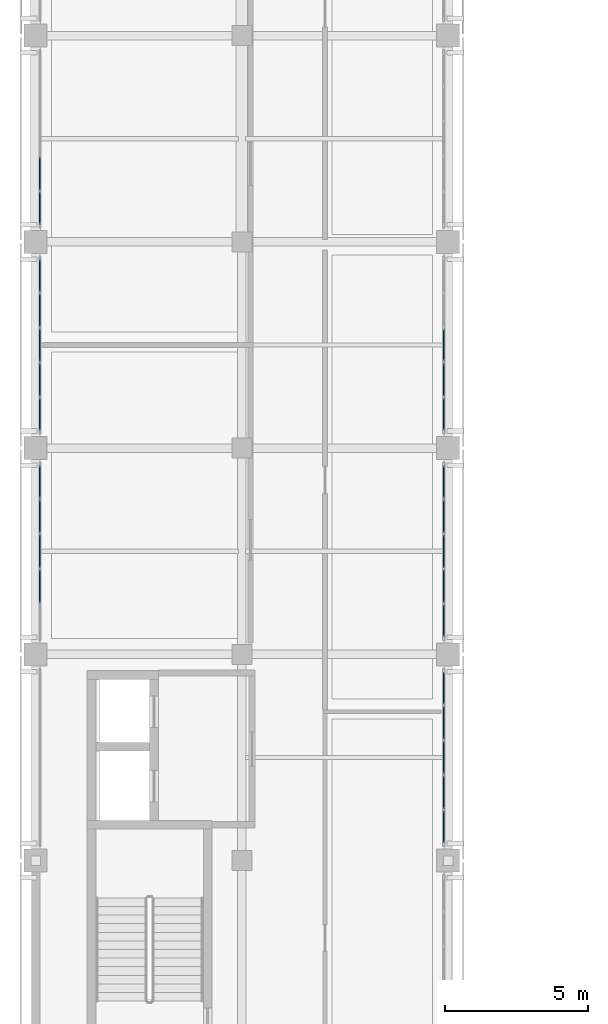
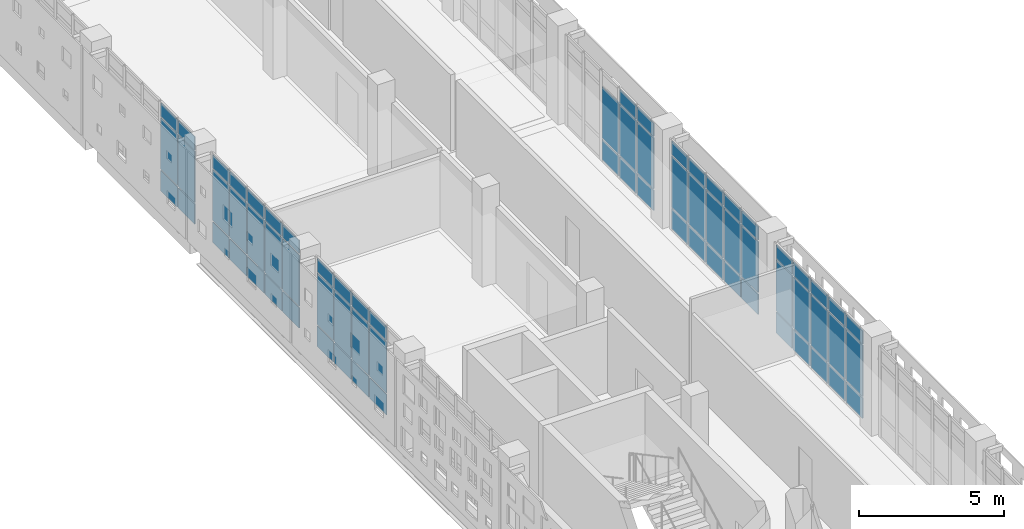
# One storey, part 15 of 33: 71 plates, 6 elements without a shape of their own.
"""IFC4 building model written with IfcOpenShell, lengths in metres."""

from ifc_helpers import new_model, si_unit, direction, frame, origin, origin_2d, place, context, subcontext, project, spatial, rectangle, extrude, material, layer, layer_set, type_object, element, aggregate, save


model = new_model("IFC4")

# Units and contexts
model_context = context("Model", 3, precision=1e-05, world=origin(), true_north=direction((0.0, 1.0)))
body_context = subcontext(model_context, "Body", "Model", "MODEL_VIEW")
ifc_project = project(units=[si_unit("LENGTHUNIT", "METRE"), si_unit("AREAUNIT", "SQUARE_METRE"), si_unit("VOLUMEUNIT", "CUBIC_METRE"), si_unit("PLANEANGLEUNIT", "RADIAN"), si_unit("MASSUNIT", "GRAM", prefix="KILO")], contexts=[model_context])

# Site, building, storey
site_placement = place(None, origin())
site = spatial("IfcSite", under=ifc_project, at=site_placement, CompositionType="ELEMENT")
building_placement = place(site_placement, origin())
building = spatial("IfcBuilding", under=site, at=building_placement, Name="Valkovuoma Quantum and Materials Research Institute", CompositionType="ELEMENT")
storey_placement = place(building_placement, frame((0.0, 0.0, 21.43994140625)))
storey = spatial("IfcBuildingStorey", under=building, at=storey_placement, Name="L05", CompositionType="ELEMENT", Elevation=21.43994140625)

# Curtain wall, plates
ifc_material_1 = material(Name="Thermally broken aluminium and triple low-E glazing", Category="aluminium")
ifc_layer_1 = layer(ifc_material_1, 0.219970703125)
ifc_layer_set_1 = layer_set([ifc_layer_1], Name="Thermally broken aluminium and triple low-E glazing")
curtain_wall_type = type_object("IfcCurtainWallType", Name="CW-CW-01", PredefinedType="NOTDEFINED", material=ifc_layer_set_1)
curtain_wall_1_placement = place(storey_placement, origin())
curtain_wall_1 = element("IfcCurtainWall", 1, at=curtain_wall_1_placement, inside=storey, type_object=curtain_wall_type, Name="L05 curtain wall 060", PredefinedType="NOTDEFINED")
ifc_material_2 = material(Name="Triple low-E argon insulating glass", Category="glass")
ifc_layer_2 = layer(ifc_material_2, 0.035888671875)
ifc_layer_set_2 = layer_set([ifc_layer_2], Name="Triple low-E argon insulating glass")
plate_type_1 = type_object("IfcPlateType", Name="CWPanel-CWP-01", PredefinedType="CURTAIN_PANEL", material=ifc_layer_set_2)
plate_1_placement = place(storey_placement, frame((0.14990234375, 45.582763671875, 0.06494140625), z_axis=(0.0, 0.0, 1.0), x_axis=(0.0, 1.0, 0.0)))
plate_1 = element("IfcPlate", 2, at=plate_1_placement, type_object=plate_type_1, Name="CW-01 panel 2.1", PredefinedType="CURTAIN_PANEL", context=body_context, shape_type="SweptSolid", body=[
    extrude(rectangle(XDim=1.152099609375, YDim=0.035888671875, at=origin_2d()), origin(), (0.0, 0.0, 1.0), 0.8525390625),
])
plate_2_placement = place(storey_placement, frame((0.14990234375, 45.582763671875, 0.982666015625), z_axis=(0.0, 0.0, 1.0), x_axis=(0.0, 1.0, 0.0)))
plate_2 = element("IfcPlate", 3, at=plate_2_placement, type_object=plate_type_1, Name="CW-01 panel 2.2", PredefinedType="CURTAIN_PANEL", context=body_context, shape_type="SweptSolid", body=[
    extrude(rectangle(XDim=1.152099609375, YDim=0.035888671875, at=origin_2d()), origin(), (0.0, 0.0, 1.0), 2.14501953125),
])
plate_3_placement = place(storey_placement, frame((0.14990234375, 45.582763671875, 3.1923828125), z_axis=(0.0, 0.0, 1.0), x_axis=(0.0, 1.0, 0.0)))
plate_3 = element("IfcPlate", 4, at=plate_3_placement, type_object=plate_type_1, Name="CW-01 panel 2.3", PredefinedType="CURTAIN_PANEL", context=body_context, shape_type="SweptSolid", body=[
    extrude(rectangle(XDim=1.152099609375, YDim=0.035888671875, at=origin_2d()), origin(), (0.0, 0.0, 1.0), 0.552490234375),
])
plate_4_placement = place(storey_placement, frame((0.14990234375, 46.800048828125, 0.06494140625), z_axis=(0.0, 0.0, 1.0), x_axis=(0.0, 1.0, 0.0)))
plate_4 = element("IfcPlate", 5, at=plate_4_placement, type_object=plate_type_1, Name="CW-01 panel 3.1", PredefinedType="CURTAIN_PANEL", context=body_context, shape_type="SweptSolid", body=[
    extrude(rectangle(XDim=1.152099609375, YDim=0.035888671875, at=origin_2d()), origin(), (0.0, 0.0, 1.0), 0.8525390625),
])
plate_5_placement = place(storey_placement, frame((0.14990234375, 46.800048828125, 0.982666015625), z_axis=(0.0, 0.0, 1.0), x_axis=(0.0, 1.0, 0.0)))
plate_5 = element("IfcPlate", 6, at=plate_5_placement, type_object=plate_type_1, Name="CW-01 panel 3.2", PredefinedType="CURTAIN_PANEL", context=body_context, shape_type="SweptSolid", body=[
    extrude(rectangle(XDim=1.152099609375, YDim=0.035888671875, at=origin_2d()), origin(), (0.0, 0.0, 1.0), 2.14501953125),
])
plate_6_placement = place(storey_placement, frame((0.14990234375, 46.800048828125, 3.1923828125), z_axis=(0.0, 0.0, 1.0), x_axis=(0.0, 1.0, 0.0)))
plate_6 = element("IfcPlate", 7, at=plate_6_placement, type_object=plate_type_1, Name="CW-01 panel 3.3", PredefinedType="CURTAIN_PANEL", context=body_context, shape_type="SweptSolid", body=[
    extrude(rectangle(XDim=1.152099609375, YDim=0.035888671875, at=origin_2d()), origin(), (0.0, 0.0, 1.0), 0.552490234375),
])
plate_7_placement = place(storey_placement, frame((0.14990234375, 48.01708984375, 0.06494140625), z_axis=(0.0, 0.0, 1.0), x_axis=(0.0, 1.0, 0.0)))
plate_7 = element("IfcPlate", 8, at=plate_7_placement, type_object=plate_type_1, Name="CW-01 panel 4.1", PredefinedType="CURTAIN_PANEL", context=body_context, shape_type="SweptSolid", body=[
    extrude(rectangle(XDim=1.152099609375, YDim=0.035888671875, at=origin_2d()), origin(), (0.0, 0.0, 1.0), 0.8525390625),
])
plate_8_placement = place(storey_placement, frame((0.14990234375, 48.01708984375, 0.982666015625), z_axis=(0.0, 0.0, 1.0), x_axis=(0.0, 1.0, 0.0)))
plate_8 = element("IfcPlate", 9, at=plate_8_placement, type_object=plate_type_1, Name="CW-01 panel 4.2", PredefinedType="CURTAIN_PANEL", context=body_context, shape_type="SweptSolid", body=[
    extrude(rectangle(XDim=1.152099609375, YDim=0.035888671875, at=origin_2d()), origin(), (0.0, 0.0, 1.0), 2.14501953125),
])
plate_9_placement = place(storey_placement, frame((0.14990234375, 48.01708984375, 3.1923828125), z_axis=(0.0, 0.0, 1.0), x_axis=(0.0, 1.0, 0.0)))
plate_9 = element("IfcPlate", 10, at=plate_9_placement, type_object=plate_type_1, Name="CW-01 panel 4.3", PredefinedType="CURTAIN_PANEL", context=body_context, shape_type="SweptSolid", body=[
    extrude(rectangle(XDim=1.152099609375, YDim=0.035888671875, at=origin_2d()), origin(), (0.0, 0.0, 1.0), 0.552490234375),
])
plate_10_placement = place(storey_placement, frame((0.14990234375, 49.218017578125, 0.06494140625), z_axis=(0.0, 0.0, 1.0), x_axis=(0.0, 1.0, 0.0)))
plate_10 = element("IfcPlate", 11, at=plate_10_placement, type_object=plate_type_1, Name="CW-01 panel 5.1", PredefinedType="CURTAIN_PANEL", context=body_context, shape_type="SweptSolid", body=[
    extrude(rectangle(XDim=1.11962890625, YDim=0.035888671875, at=origin_2d()), origin(), (0.0, 0.0, 1.0), 0.8525390625),
])
plate_11_placement = place(storey_placement, frame((0.14990234375, 49.218017578125, 0.982666015625), z_axis=(0.0, 0.0, 1.0), x_axis=(0.0, 1.0, 0.0)))
plate_11 = element("IfcPlate", 12, at=plate_11_placement, type_object=plate_type_1, Name="CW-01 panel 5.2", PredefinedType="CURTAIN_PANEL", context=body_context, shape_type="SweptSolid", body=[
    extrude(rectangle(XDim=1.11962890625, YDim=0.035888671875, at=origin_2d()), origin(), (0.0, 0.0, 1.0), 2.14501953125),
])
plate_12_placement = place(storey_placement, frame((0.14990234375, 49.218017578125, 3.1923828125), z_axis=(0.0, 0.0, 1.0), x_axis=(0.0, 1.0, 0.0)))
plate_12 = element("IfcPlate", 13, at=plate_12_placement, type_object=plate_type_1, Name="CW-01 panel 5.3", PredefinedType="CURTAIN_PANEL", context=body_context, shape_type="SweptSolid", body=[
    extrude(rectangle(XDim=1.11962890625, YDim=0.035888671875, at=origin_2d()), origin(), (0.0, 0.0, 1.0), 0.552490234375),
])
aggregate(curtain_wall_1, [plate_1, plate_2, plate_3, plate_4, plate_5, plate_6, plate_7, plate_8, plate_9, plate_10, plate_11, plate_12])

curtain_wall_2_placement = place(storey_placement, origin())
curtain_wall_2 = element("IfcCurtainWall", 14, at=curtain_wall_2_placement, inside=storey, type_object=curtain_wall_type, Name="L05 curtain wall 062", PredefinedType="NOTDEFINED")
plate_13_placement = place(storey_placement, frame((0.14990234375, 51.58203125, 0.06494140625), z_axis=(0.0, 0.0, 1.0), x_axis=(0.0, 1.0, 0.0)))
plate_13 = element("IfcPlate", 15, at=plate_13_placement, type_object=plate_type_1, Name="CW-01 panel 1.1", PredefinedType="CURTAIN_PANEL", context=body_context, shape_type="SweptSolid", body=[
    extrude(rectangle(XDim=1.11962890625, YDim=0.035888671875, at=origin_2d()), origin(), (0.0, 0.0, 1.0), 0.8525390625),
])
plate_14_placement = place(storey_placement, frame((0.14990234375, 51.58203125, 0.982666015625), z_axis=(0.0, 0.0, 1.0), x_axis=(0.0, 1.0, 0.0)))
plate_14 = element("IfcPlate", 16, at=plate_14_placement, type_object=plate_type_1, Name="CW-01 panel 1.2", PredefinedType="CURTAIN_PANEL", context=body_context, shape_type="SweptSolid", body=[
    extrude(rectangle(XDim=1.11962890625, YDim=0.035888671875, at=origin_2d()), origin(), (0.0, 0.0, 1.0), 2.14501953125),
])
plate_15_placement = place(storey_placement, frame((0.14990234375, 51.58203125, 3.1923828125), z_axis=(0.0, 0.0, 1.0), x_axis=(0.0, 1.0, 0.0)))
plate_15 = element("IfcPlate", 17, at=plate_15_placement, type_object=plate_type_1, Name="CW-01 panel 1.3", PredefinedType="CURTAIN_PANEL", context=body_context, shape_type="SweptSolid", body=[
    extrude(rectangle(XDim=1.11962890625, YDim=0.035888671875, at=origin_2d()), origin(), (0.0, 0.0, 1.0), 0.552490234375),
])
plate_16_placement = place(storey_placement, frame((0.14990234375, 52.782958984375, 0.06494140625), z_axis=(0.0, 0.0, 1.0), x_axis=(0.0, 1.0, 0.0)))
plate_16 = element("IfcPlate", 18, at=plate_16_placement, type_object=plate_type_1, Name="CW-01 panel 2.1", PredefinedType="CURTAIN_PANEL", context=body_context, shape_type="SweptSolid", body=[
    extrude(rectangle(XDim=1.152099609375, YDim=0.035888671875, at=origin_2d()), origin(), (0.0, 0.0, 1.0), 0.8525390625),
])
plate_17_placement = place(storey_placement, frame((0.14990234375, 52.782958984375, 0.982666015625), z_axis=(0.0, 0.0, 1.0), x_axis=(0.0, 1.0, 0.0)))
plate_17 = element("IfcPlate", 19, at=plate_17_placement, type_object=plate_type_1, Name="CW-01 panel 2.2", PredefinedType="CURTAIN_PANEL", context=body_context, shape_type="SweptSolid", body=[
    extrude(rectangle(XDim=1.152099609375, YDim=0.035888671875, at=origin_2d()), origin(), (0.0, 0.0, 1.0), 2.14501953125),
])
plate_18_placement = place(storey_placement, frame((0.14990234375, 52.782958984375, 3.1923828125), z_axis=(0.0, 0.0, 1.0), x_axis=(0.0, 1.0, 0.0)))
plate_18 = element("IfcPlate", 20, at=plate_18_placement, type_object=plate_type_1, Name="CW-01 panel 2.3", PredefinedType="CURTAIN_PANEL", context=body_context, shape_type="SweptSolid", body=[
    extrude(rectangle(XDim=1.152099609375, YDim=0.035888671875, at=origin_2d()), origin(), (0.0, 0.0, 1.0), 0.552490234375),
])
plate_19_placement = place(storey_placement, frame((0.14990234375, 54.0, 0.06494140625), z_axis=(0.0, 0.0, 1.0), x_axis=(0.0, 1.0, 0.0)))
plate_19 = element("IfcPlate", 21, at=plate_19_placement, type_object=plate_type_1, Name="CW-01 panel 3.1", PredefinedType="CURTAIN_PANEL", context=body_context, shape_type="SweptSolid", body=[
    extrude(rectangle(XDim=1.152099609375, YDim=0.035888671875, at=origin_2d()), origin(), (0.0, 0.0, 1.0), 0.8525390625),
])
plate_20_placement = place(storey_placement, frame((0.14990234375, 54.0, 0.982666015625), z_axis=(0.0, 0.0, 1.0), x_axis=(0.0, 1.0, 0.0)))
plate_20 = element("IfcPlate", 22, at=plate_20_placement, type_object=plate_type_1, Name="CW-01 panel 3.2", PredefinedType="CURTAIN_PANEL", context=body_context, shape_type="SweptSolid", body=[
    extrude(rectangle(XDim=1.152099609375, YDim=0.035888671875, at=origin_2d()), origin(), (0.0, 0.0, 1.0), 2.14501953125),
])
plate_21_placement = place(storey_placement, frame((0.14990234375, 54.0, 3.1923828125), z_axis=(0.0, 0.0, 1.0), x_axis=(0.0, 1.0, 0.0)))
plate_21 = element("IfcPlate", 23, at=plate_21_placement, type_object=plate_type_1, Name="CW-01 panel 3.3", PredefinedType="CURTAIN_PANEL", context=body_context, shape_type="SweptSolid", body=[
    extrude(rectangle(XDim=1.152099609375, YDim=0.035888671875, at=origin_2d()), origin(), (0.0, 0.0, 1.0), 0.552490234375),
])
plate_22_placement = place(storey_placement, frame((0.14990234375, 55.217041015625, 0.06494140625), z_axis=(0.0, 0.0, 1.0), x_axis=(0.0, 1.0, 0.0)))
plate_22 = element("IfcPlate", 24, at=plate_22_placement, type_object=plate_type_1, Name="CW-01 panel 4.1", PredefinedType="CURTAIN_PANEL", context=body_context, shape_type="SweptSolid", body=[
    extrude(rectangle(XDim=1.152099609375, YDim=0.035888671875, at=origin_2d()), origin(), (0.0, 0.0, 1.0), 0.8525390625),
])
plate_23_placement = place(storey_placement, frame((0.14990234375, 55.217041015625, 0.982666015625), z_axis=(0.0, 0.0, 1.0), x_axis=(0.0, 1.0, 0.0)))
plate_23 = element("IfcPlate", 25, at=plate_23_placement, type_object=plate_type_1, Name="CW-01 panel 4.2", PredefinedType="CURTAIN_PANEL", context=body_context, shape_type="SweptSolid", body=[
    extrude(rectangle(XDim=1.152099609375, YDim=0.035888671875, at=origin_2d()), origin(), (0.0, 0.0, 1.0), 2.14501953125),
])
plate_24_placement = place(storey_placement, frame((0.14990234375, 55.217041015625, 3.1923828125), z_axis=(0.0, 0.0, 1.0), x_axis=(0.0, 1.0, 0.0)))
plate_24 = element("IfcPlate", 26, at=plate_24_placement, type_object=plate_type_1, Name="CW-01 panel 4.3", PredefinedType="CURTAIN_PANEL", context=body_context, shape_type="SweptSolid", body=[
    extrude(rectangle(XDim=1.152099609375, YDim=0.035888671875, at=origin_2d()), origin(), (0.0, 0.0, 1.0), 0.552490234375),
])
plate_25_placement = place(storey_placement, frame((0.14990234375, 56.41796875, 0.06494140625), z_axis=(0.0, 0.0, 1.0), x_axis=(0.0, 1.0, 0.0)))
plate_25 = element("IfcPlate", 27, at=plate_25_placement, type_object=plate_type_1, Name="CW-01 panel 5.1", PredefinedType="CURTAIN_PANEL", context=body_context, shape_type="SweptSolid", body=[
    extrude(rectangle(XDim=1.11962890625, YDim=0.035888671875, at=origin_2d()), origin(), (0.0, 0.0, 1.0), 0.8525390625),
])
plate_26_placement = place(storey_placement, frame((0.14990234375, 56.41796875, 0.982666015625), z_axis=(0.0, 0.0, 1.0), x_axis=(0.0, 1.0, 0.0)))
plate_26 = element("IfcPlate", 28, at=plate_26_placement, type_object=plate_type_1, Name="CW-01 panel 5.2", PredefinedType="CURTAIN_PANEL", context=body_context, shape_type="SweptSolid", body=[
    extrude(rectangle(XDim=1.11962890625, YDim=0.035888671875, at=origin_2d()), origin(), (0.0, 0.0, 1.0), 2.14501953125),
])
plate_27_placement = place(storey_placement, frame((0.14990234375, 56.41796875, 3.1923828125), z_axis=(0.0, 0.0, 1.0), x_axis=(0.0, 1.0, 0.0)))
plate_27 = element("IfcPlate", 29, at=plate_27_placement, type_object=plate_type_1, Name="CW-01 panel 5.3", PredefinedType="CURTAIN_PANEL", context=body_context, shape_type="SweptSolid", body=[
    extrude(rectangle(XDim=1.11962890625, YDim=0.035888671875, at=origin_2d()), origin(), (0.0, 0.0, 1.0), 0.552490234375),
])
aggregate(curtain_wall_2, [plate_13, plate_14, plate_15, plate_16, plate_17, plate_18, plate_19, plate_20, plate_21, plate_22, plate_23, plate_24, plate_25, plate_26, plate_27])

curtain_wall_3_placement = place(storey_placement, origin())
curtain_wall_3 = element("IfcCurtainWall", 30, at=curtain_wall_3_placement, inside=storey, type_object=curtain_wall_type, Name="L05 curtain wall 064", PredefinedType="NOTDEFINED")
plate_28_placement = place(storey_placement, frame((0.14990234375, 58.781982421875, 0.06494140625), z_axis=(0.0, 0.0, 1.0), x_axis=(0.0, 1.0, 0.0)))
plate_28 = element("IfcPlate", 31, at=plate_28_placement, type_object=plate_type_1, Name="CW-01 panel 1.1", PredefinedType="CURTAIN_PANEL", context=body_context, shape_type="SweptSolid", body=[
    extrude(rectangle(XDim=1.11962890625, YDim=0.035888671875, at=origin_2d()), origin(), (0.0, 0.0, 1.0), 0.8525390625),
])
plate_29_placement = place(storey_placement, frame((0.14990234375, 58.781982421875, 0.982666015625), z_axis=(0.0, 0.0, 1.0), x_axis=(0.0, 1.0, 0.0)))
plate_29 = element("IfcPlate", 32, at=plate_29_placement, type_object=plate_type_1, Name="CW-01 panel 1.2", PredefinedType="CURTAIN_PANEL", context=body_context, shape_type="SweptSolid", body=[
    extrude(rectangle(XDim=1.11962890625, YDim=0.035888671875, at=origin_2d()), origin(), (0.0, 0.0, 1.0), 2.14501953125),
])
plate_30_placement = place(storey_placement, frame((0.14990234375, 58.781982421875, 3.1923828125), z_axis=(0.0, 0.0, 1.0), x_axis=(0.0, 1.0, 0.0)))
plate_30 = element("IfcPlate", 33, at=plate_30_placement, type_object=plate_type_1, Name="CW-01 panel 1.3", PredefinedType="CURTAIN_PANEL", context=body_context, shape_type="SweptSolid", body=[
    extrude(rectangle(XDim=1.11962890625, YDim=0.035888671875, at=origin_2d()), origin(), (0.0, 0.0, 1.0), 0.552490234375),
])
plate_31_placement = place(storey_placement, frame((0.14990234375, 59.98291015625, 0.06494140625), z_axis=(0.0, 0.0, 1.0), x_axis=(0.0, 1.0, 0.0)))
plate_31 = element("IfcPlate", 34, at=plate_31_placement, type_object=plate_type_1, Name="CW-01 panel 2.1", PredefinedType="CURTAIN_PANEL", context=body_context, shape_type="SweptSolid", body=[
    extrude(rectangle(XDim=1.152099609375, YDim=0.035888671875, at=origin_2d()), origin(), (0.0, 0.0, 1.0), 0.8525390625),
])
plate_32_placement = place(storey_placement, frame((0.14990234375, 59.98291015625, 0.982666015625), z_axis=(0.0, 0.0, 1.0), x_axis=(0.0, 1.0, 0.0)))
plate_32 = element("IfcPlate", 35, at=plate_32_placement, type_object=plate_type_1, Name="CW-01 panel 2.2", PredefinedType="CURTAIN_PANEL", context=body_context, shape_type="SweptSolid", body=[
    extrude(rectangle(XDim=1.152099609375, YDim=0.035888671875, at=origin_2d()), origin(), (0.0, 0.0, 1.0), 2.14501953125),
])
plate_33_placement = place(storey_placement, frame((0.14990234375, 59.98291015625, 3.1923828125), z_axis=(0.0, 0.0, 1.0), x_axis=(0.0, 1.0, 0.0)))
plate_33 = element("IfcPlate", 36, at=plate_33_placement, type_object=plate_type_1, Name="CW-01 panel 2.3", PredefinedType="CURTAIN_PANEL", context=body_context, shape_type="SweptSolid", body=[
    extrude(rectangle(XDim=1.152099609375, YDim=0.035888671875, at=origin_2d()), origin(), (0.0, 0.0, 1.0), 0.552490234375),
])
aggregate(curtain_wall_3, [plate_28, plate_29, plate_30, plate_31, plate_32, plate_33])

curtain_wall_4_placement = place(storey_placement, origin())
curtain_wall_4 = element("IfcCurtainWall", 37, at=curtain_wall_4_placement, inside=storey, type_object=curtain_wall_type, Name="L05 curtain wall 059", PredefinedType="NOTDEFINED")
ifc_material_3 = material(Name="Triple low-E argon insulating glass", Category="glass")
ifc_layer_3 = layer(ifc_material_3, 0.0419921875)
ifc_layer_set_3 = layer_set([ifc_layer_3], Name="Triple low-E argon insulating glass")
plate_type_2 = type_object("IfcPlateType", Name="CWPanel-CWP-02", PredefinedType="CURTAIN_PANEL", material=ifc_layer_set_3)
plate_34_placement = place(storey_placement, frame((14.25, 37.181884765625, 0.06494140625), z_axis=(0.0, 0.0, 1.0), x_axis=(0.0, 1.0, 0.0)))
plate_34 = element("IfcPlate", 38, at=plate_34_placement, type_object=plate_type_2, Name="CW-01 panel 1.1", PredefinedType="CURTAIN_PANEL", context=body_context, shape_type="SweptSolid", body=[
    extrude(rectangle(XDim=1.11962890625, YDim=0.0419921875, at=origin_2d()), origin(), (0.0, 0.0, 1.0), 0.8525390625),
])
plate_35_placement = place(storey_placement, frame((14.25, 37.181884765625, 0.982666015625), z_axis=(0.0, 0.0, 1.0), x_axis=(0.0, 1.0, 0.0)))
plate_35 = element("IfcPlate", 39, at=plate_35_placement, type_object=plate_type_2, Name="CW-01 panel 1.2", PredefinedType="CURTAIN_PANEL", context=body_context, shape_type="SweptSolid", body=[
    extrude(rectangle(XDim=1.11962890625, YDim=0.0419921875, at=origin_2d()), origin(), (0.0, 0.0, 1.0), 2.14501953125),
])
plate_36_placement = place(storey_placement, frame((14.25, 37.181884765625, 3.1923828125), z_axis=(0.0, 0.0, 1.0), x_axis=(0.0, 1.0, 0.0)))
plate_36 = element("IfcPlate", 40, at=plate_36_placement, type_object=plate_type_2, Name="CW-01 panel 1.3", PredefinedType="CURTAIN_PANEL", context=body_context, shape_type="SweptSolid", body=[
    extrude(rectangle(XDim=1.11962890625, YDim=0.0419921875, at=origin_2d()), origin(), (0.0, 0.0, 1.0), 0.552490234375),
])
plate_37_placement = place(storey_placement, frame((14.25, 38.3828125, 0.06494140625), z_axis=(0.0, 0.0, 1.0), x_axis=(0.0, 1.0, 0.0)))
plate_37 = element("IfcPlate", 41, at=plate_37_placement, type_object=plate_type_2, Name="CW-01 panel 2.1", PredefinedType="CURTAIN_PANEL", context=body_context, shape_type="SweptSolid", body=[
    extrude(rectangle(XDim=1.152099609375, YDim=0.0419921875, at=origin_2d()), origin(), (0.0, 0.0, 1.0), 0.8525390625),
])
plate_38_placement = place(storey_placement, frame((14.25, 38.3828125, 0.982666015625), z_axis=(0.0, 0.0, 1.0), x_axis=(0.0, 1.0, 0.0)))
plate_38 = element("IfcPlate", 42, at=plate_38_placement, type_object=plate_type_2, Name="CW-01 panel 2.2", PredefinedType="CURTAIN_PANEL", context=body_context, shape_type="SweptSolid", body=[
    extrude(rectangle(XDim=1.152099609375, YDim=0.0419921875, at=origin_2d()), origin(), (0.0, 0.0, 1.0), 2.14501953125),
])
plate_39_placement = place(storey_placement, frame((14.25, 38.3828125, 3.1923828125), z_axis=(0.0, 0.0, 1.0), x_axis=(0.0, 1.0, 0.0)))
plate_39 = element("IfcPlate", 43, at=plate_39_placement, type_object=plate_type_2, Name="CW-01 panel 2.3", PredefinedType="CURTAIN_PANEL", context=body_context, shape_type="SweptSolid", body=[
    extrude(rectangle(XDim=1.152099609375, YDim=0.0419921875, at=origin_2d()), origin(), (0.0, 0.0, 1.0), 0.552490234375),
])
plate_40_placement = place(storey_placement, frame((14.25, 39.60009765625, 0.06494140625), z_axis=(0.0, 0.0, 1.0), x_axis=(0.0, 1.0, 0.0)))
plate_40 = element("IfcPlate", 44, at=plate_40_placement, type_object=plate_type_2, Name="CW-01 panel 3.1", PredefinedType="CURTAIN_PANEL", context=body_context, shape_type="SweptSolid", body=[
    extrude(rectangle(XDim=1.152099609375, YDim=0.0419921875, at=origin_2d()), origin(), (0.0, 0.0, 1.0), 0.8525390625),
])
plate_41_placement = place(storey_placement, frame((14.25, 39.60009765625, 0.982666015625), z_axis=(0.0, 0.0, 1.0), x_axis=(0.0, 1.0, 0.0)))
plate_41 = element("IfcPlate", 45, at=plate_41_placement, type_object=plate_type_2, Name="CW-01 panel 3.2", PredefinedType="CURTAIN_PANEL", context=body_context, shape_type="SweptSolid", body=[
    extrude(rectangle(XDim=1.152099609375, YDim=0.0419921875, at=origin_2d()), origin(), (0.0, 0.0, 1.0), 2.14501953125),
])
plate_42_placement = place(storey_placement, frame((14.25, 39.60009765625, 3.1923828125), z_axis=(0.0, 0.0, 1.0), x_axis=(0.0, 1.0, 0.0)))
plate_42 = element("IfcPlate", 46, at=plate_42_placement, type_object=plate_type_2, Name="CW-01 panel 3.3", PredefinedType="CURTAIN_PANEL", context=body_context, shape_type="SweptSolid", body=[
    extrude(rectangle(XDim=1.152099609375, YDim=0.0419921875, at=origin_2d()), origin(), (0.0, 0.0, 1.0), 0.552490234375),
])
plate_43_placement = place(storey_placement, frame((14.25, 40.817138671875, 0.06494140625), z_axis=(0.0, 0.0, 1.0), x_axis=(0.0, 1.0, 0.0)))
plate_43 = element("IfcPlate", 47, at=plate_43_placement, type_object=plate_type_2, Name="CW-01 panel 4.1", PredefinedType="CURTAIN_PANEL", context=body_context, shape_type="SweptSolid", body=[
    extrude(rectangle(XDim=1.152099609375, YDim=0.0419921875, at=origin_2d()), origin(), (0.0, 0.0, 1.0), 0.8525390625),
])
plate_44_placement = place(storey_placement, frame((14.25, 40.817138671875, 0.982666015625), z_axis=(0.0, 0.0, 1.0), x_axis=(0.0, 1.0, 0.0)))
plate_44 = element("IfcPlate", 48, at=plate_44_placement, type_object=plate_type_2, Name="CW-01 panel 4.2", PredefinedType="CURTAIN_PANEL", context=body_context, shape_type="SweptSolid", body=[
    extrude(rectangle(XDim=1.152099609375, YDim=0.0419921875, at=origin_2d()), origin(), (0.0, 0.0, 1.0), 2.14501953125),
])
plate_45_placement = place(storey_placement, frame((14.25, 40.817138671875, 3.1923828125), z_axis=(0.0, 0.0, 1.0), x_axis=(0.0, 1.0, 0.0)))
plate_45 = element("IfcPlate", 49, at=plate_45_placement, type_object=plate_type_2, Name="CW-01 panel 4.3", PredefinedType="CURTAIN_PANEL", context=body_context, shape_type="SweptSolid", body=[
    extrude(rectangle(XDim=1.152099609375, YDim=0.0419921875, at=origin_2d()), origin(), (0.0, 0.0, 1.0), 0.552490234375),
])
plate_46_placement = place(storey_placement, frame((14.25, 42.01806640625, 0.06494140625), z_axis=(0.0, 0.0, 1.0), x_axis=(0.0, 1.0, 0.0)))
plate_46 = element("IfcPlate", 50, at=plate_46_placement, type_object=plate_type_2, Name="CW-01 panel 5.1", PredefinedType="CURTAIN_PANEL", context=body_context, shape_type="SweptSolid", body=[
    extrude(rectangle(XDim=1.11962890625, YDim=0.0419921875, at=origin_2d()), origin(), (0.0, 0.0, 1.0), 0.8525390625),
])
plate_47_placement = place(storey_placement, frame((14.25, 42.01806640625, 0.982666015625), z_axis=(0.0, 0.0, 1.0), x_axis=(0.0, 1.0, 0.0)))
plate_47 = element("IfcPlate", 51, at=plate_47_placement, type_object=plate_type_2, Name="CW-01 panel 5.2", PredefinedType="CURTAIN_PANEL", context=body_context, shape_type="SweptSolid", body=[
    extrude(rectangle(XDim=1.11962890625, YDim=0.0419921875, at=origin_2d()), origin(), (0.0, 0.0, 1.0), 2.14501953125),
])
plate_48_placement = place(storey_placement, frame((14.25, 42.01806640625, 3.1923828125), z_axis=(0.0, 0.0, 1.0), x_axis=(0.0, 1.0, 0.0)))
plate_48 = element("IfcPlate", 52, at=plate_48_placement, type_object=plate_type_2, Name="CW-01 panel 5.3", PredefinedType="CURTAIN_PANEL", context=body_context, shape_type="SweptSolid", body=[
    extrude(rectangle(XDim=1.11962890625, YDim=0.0419921875, at=origin_2d()), origin(), (0.0, 0.0, 1.0), 0.552490234375),
])
aggregate(curtain_wall_4, [plate_34, plate_35, plate_36, plate_37, plate_38, plate_39, plate_40, plate_41, plate_42, plate_43, plate_44, plate_45, plate_46, plate_47, plate_48])

curtain_wall_5_placement = place(storey_placement, origin())
curtain_wall_5 = element("IfcCurtainWall", 53, at=curtain_wall_5_placement, inside=storey, type_object=curtain_wall_type, Name="L05 curtain wall 061", PredefinedType="NOTDEFINED")
plate_49_placement = place(storey_placement, frame((14.25, 44.3818359375, 0.06494140625), z_axis=(0.0, 0.0, 1.0), x_axis=(0.0, 1.0, 0.0)))
plate_49 = element("IfcPlate", 54, at=plate_49_placement, type_object=plate_type_2, Name="CW-01 panel 1.1", PredefinedType="CURTAIN_PANEL", context=body_context, shape_type="SweptSolid", body=[
    extrude(rectangle(XDim=1.11962890625, YDim=0.0419921875, at=origin_2d()), origin(), (0.0, 0.0, 1.0), 0.8525390625),
])
plate_50_placement = place(storey_placement, frame((14.25, 44.3818359375, 0.982666015625), z_axis=(0.0, 0.0, 1.0), x_axis=(0.0, 1.0, 0.0)))
plate_50 = element("IfcPlate", 55, at=plate_50_placement, type_object=plate_type_2, Name="CW-01 panel 1.2", PredefinedType="CURTAIN_PANEL", context=body_context, shape_type="SweptSolid", body=[
    extrude(rectangle(XDim=1.11962890625, YDim=0.0419921875, at=origin_2d()), origin(), (0.0, 0.0, 1.0), 2.14501953125),
])
plate_51_placement = place(storey_placement, frame((14.25, 44.3818359375, 3.1923828125), z_axis=(0.0, 0.0, 1.0), x_axis=(0.0, 1.0, 0.0)))
plate_51 = element("IfcPlate", 56, at=plate_51_placement, type_object=plate_type_2, Name="CW-01 panel 1.3", PredefinedType="CURTAIN_PANEL", context=body_context, shape_type="SweptSolid", body=[
    extrude(rectangle(XDim=1.11962890625, YDim=0.0419921875, at=origin_2d()), origin(), (0.0, 0.0, 1.0), 0.552490234375),
])
plate_52_placement = place(storey_placement, frame((14.25, 45.582763671875, 0.06494140625), z_axis=(0.0, 0.0, 1.0), x_axis=(0.0, 1.0, 0.0)))
plate_52 = element("IfcPlate", 57, at=plate_52_placement, type_object=plate_type_2, Name="CW-01 panel 2.1", PredefinedType="CURTAIN_PANEL", context=body_context, shape_type="SweptSolid", body=[
    extrude(rectangle(XDim=1.152099609375, YDim=0.0419921875, at=origin_2d()), origin(), (0.0, 0.0, 1.0), 0.8525390625),
])
plate_53_placement = place(storey_placement, frame((14.25, 45.582763671875, 0.982666015625), z_axis=(0.0, 0.0, 1.0), x_axis=(0.0, 1.0, 0.0)))
plate_53 = element("IfcPlate", 58, at=plate_53_placement, type_object=plate_type_2, Name="CW-01 panel 2.2", PredefinedType="CURTAIN_PANEL", context=body_context, shape_type="SweptSolid", body=[
    extrude(rectangle(XDim=1.152099609375, YDim=0.0419921875, at=origin_2d()), origin(), (0.0, 0.0, 1.0), 2.14501953125),
])
plate_54_placement = place(storey_placement, frame((14.25, 45.582763671875, 3.1923828125), z_axis=(0.0, 0.0, 1.0), x_axis=(0.0, 1.0, 0.0)))
plate_54 = element("IfcPlate", 59, at=plate_54_placement, type_object=plate_type_2, Name="CW-01 panel 2.3", PredefinedType="CURTAIN_PANEL", context=body_context, shape_type="SweptSolid", body=[
    extrude(rectangle(XDim=1.152099609375, YDim=0.0419921875, at=origin_2d()), origin(), (0.0, 0.0, 1.0), 0.552490234375),
])
plate_55_placement = place(storey_placement, frame((14.25, 46.800048828125, 0.06494140625), z_axis=(0.0, 0.0, 1.0), x_axis=(0.0, 1.0, 0.0)))
plate_55 = element("IfcPlate", 60, at=plate_55_placement, type_object=plate_type_2, Name="CW-01 panel 3.1", PredefinedType="CURTAIN_PANEL", context=body_context, shape_type="SweptSolid", body=[
    extrude(rectangle(XDim=1.152099609375, YDim=0.0419921875, at=origin_2d()), origin(), (0.0, 0.0, 1.0), 0.8525390625),
])
plate_56_placement = place(storey_placement, frame((14.25, 46.800048828125, 0.982666015625), z_axis=(0.0, 0.0, 1.0), x_axis=(0.0, 1.0, 0.0)))
plate_56 = element("IfcPlate", 61, at=plate_56_placement, type_object=plate_type_2, Name="CW-01 panel 3.2", PredefinedType="CURTAIN_PANEL", context=body_context, shape_type="SweptSolid", body=[
    extrude(rectangle(XDim=1.152099609375, YDim=0.0419921875, at=origin_2d()), origin(), (0.0, 0.0, 1.0), 2.14501953125),
])
plate_57_placement = place(storey_placement, frame((14.25, 46.800048828125, 3.1923828125), z_axis=(0.0, 0.0, 1.0), x_axis=(0.0, 1.0, 0.0)))
plate_57 = element("IfcPlate", 62, at=plate_57_placement, type_object=plate_type_2, Name="CW-01 panel 3.3", PredefinedType="CURTAIN_PANEL", context=body_context, shape_type="SweptSolid", body=[
    extrude(rectangle(XDim=1.152099609375, YDim=0.0419921875, at=origin_2d()), origin(), (0.0, 0.0, 1.0), 0.552490234375),
])
plate_58_placement = place(storey_placement, frame((14.25, 48.01708984375, 0.06494140625), z_axis=(0.0, 0.0, 1.0), x_axis=(0.0, 1.0, 0.0)))
plate_58 = element("IfcPlate", 63, at=plate_58_placement, type_object=plate_type_2, Name="CW-01 panel 4.1", PredefinedType="CURTAIN_PANEL", context=body_context, shape_type="SweptSolid", body=[
    extrude(rectangle(XDim=1.152099609375, YDim=0.0419921875, at=origin_2d()), origin(), (0.0, 0.0, 1.0), 0.8525390625),
])
plate_59_placement = place(storey_placement, frame((14.25, 48.01708984375, 0.982666015625), z_axis=(0.0, 0.0, 1.0), x_axis=(0.0, 1.0, 0.0)))
plate_59 = element("IfcPlate", 64, at=plate_59_placement, type_object=plate_type_2, Name="CW-01 panel 4.2", PredefinedType="CURTAIN_PANEL", context=body_context, shape_type="SweptSolid", body=[
    extrude(rectangle(XDim=1.152099609375, YDim=0.0419921875, at=origin_2d()), origin(), (0.0, 0.0, 1.0), 2.14501953125),
])
plate_60_placement = place(storey_placement, frame((14.25, 48.01708984375, 3.1923828125), z_axis=(0.0, 0.0, 1.0), x_axis=(0.0, 1.0, 0.0)))
plate_60 = element("IfcPlate", 65, at=plate_60_placement, type_object=plate_type_2, Name="CW-01 panel 4.3", PredefinedType="CURTAIN_PANEL", context=body_context, shape_type="SweptSolid", body=[
    extrude(rectangle(XDim=1.152099609375, YDim=0.0419921875, at=origin_2d()), origin(), (0.0, 0.0, 1.0), 0.552490234375),
])
plate_61_placement = place(storey_placement, frame((14.25, 49.218017578125, 0.06494140625), z_axis=(0.0, 0.0, 1.0), x_axis=(0.0, 1.0, 0.0)))
plate_61 = element("IfcPlate", 66, at=plate_61_placement, type_object=plate_type_2, Name="CW-01 panel 5.1", PredefinedType="CURTAIN_PANEL", context=body_context, shape_type="SweptSolid", body=[
    extrude(rectangle(XDim=1.11962890625, YDim=0.0419921875, at=origin_2d()), origin(), (0.0, 0.0, 1.0), 0.8525390625),
])
plate_62_placement = place(storey_placement, frame((14.25, 49.218017578125, 0.982666015625), z_axis=(0.0, 0.0, 1.0), x_axis=(0.0, 1.0, 0.0)))
plate_62 = element("IfcPlate", 67, at=plate_62_placement, type_object=plate_type_2, Name="CW-01 panel 5.2", PredefinedType="CURTAIN_PANEL", context=body_context, shape_type="SweptSolid", body=[
    extrude(rectangle(XDim=1.11962890625, YDim=0.0419921875, at=origin_2d()), origin(), (0.0, 0.0, 1.0), 2.14501953125),
])
plate_63_placement = place(storey_placement, frame((14.25, 49.218017578125, 3.1923828125), z_axis=(0.0, 0.0, 1.0), x_axis=(0.0, 1.0, 0.0)))
plate_63 = element("IfcPlate", 68, at=plate_63_placement, type_object=plate_type_2, Name="CW-01 panel 5.3", PredefinedType="CURTAIN_PANEL", context=body_context, shape_type="SweptSolid", body=[
    extrude(rectangle(XDim=1.11962890625, YDim=0.0419921875, at=origin_2d()), origin(), (0.0, 0.0, 1.0), 0.552490234375),
])
aggregate(curtain_wall_5, [plate_49, plate_50, plate_51, plate_52, plate_53, plate_54, plate_55, plate_56, plate_57, plate_58, plate_59, plate_60, plate_61, plate_62, plate_63])

curtain_wall_6_placement = place(storey_placement, origin())
curtain_wall_6 = element("IfcCurtainWall", 69, at=curtain_wall_6_placement, inside=storey, type_object=curtain_wall_type, Name="L05 curtain wall 063", PredefinedType="NOTDEFINED")
plate_64_placement = place(storey_placement, frame((14.25, 51.58203125, 0.06494140625), z_axis=(0.0, 0.0, 1.0), x_axis=(0.0, 1.0, 0.0)))
plate_64 = element("IfcPlate", 70, at=plate_64_placement, type_object=plate_type_2, Name="CW-01 panel 1.1", PredefinedType="CURTAIN_PANEL", context=body_context, shape_type="SweptSolid", body=[
    extrude(rectangle(XDim=1.11962890625, YDim=0.0419921875, at=origin_2d()), origin(), (0.0, 0.0, 1.0), 0.8525390625),
])
plate_65_placement = place(storey_placement, frame((14.25, 51.58203125, 0.982666015625), z_axis=(0.0, 0.0, 1.0), x_axis=(0.0, 1.0, 0.0)))
plate_65 = element("IfcPlate", 71, at=plate_65_placement, type_object=plate_type_2, Name="CW-01 panel 1.2", PredefinedType="CURTAIN_PANEL", context=body_context, shape_type="SweptSolid", body=[
    extrude(rectangle(XDim=1.11962890625, YDim=0.0419921875, at=origin_2d()), origin(), (0.0, 0.0, 1.0), 2.14501953125),
])
plate_66_placement = place(storey_placement, frame((14.25, 51.58203125, 3.1923828125), z_axis=(0.0, 0.0, 1.0), x_axis=(0.0, 1.0, 0.0)))
plate_66 = element("IfcPlate", 72, at=plate_66_placement, type_object=plate_type_2, Name="CW-01 panel 1.3", PredefinedType="CURTAIN_PANEL", context=body_context, shape_type="SweptSolid", body=[
    extrude(rectangle(XDim=1.11962890625, YDim=0.0419921875, at=origin_2d()), origin(), (0.0, 0.0, 1.0), 0.552490234375),
])
plate_67_placement = place(storey_placement, frame((14.25, 52.782958984375, 0.06494140625), z_axis=(0.0, 0.0, 1.0), x_axis=(0.0, 1.0, 0.0)))
plate_67 = element("IfcPlate", 73, at=plate_67_placement, type_object=plate_type_2, Name="CW-01 panel 2.1", PredefinedType="CURTAIN_PANEL", context=body_context, shape_type="SweptSolid", body=[
    extrude(rectangle(XDim=1.152099609375, YDim=0.0419921875, at=origin_2d()), origin(), (0.0, 0.0, 1.0), 0.8525390625),
])
plate_68_placement = place(storey_placement, frame((14.25, 52.782958984375, 0.982666015625), z_axis=(0.0, 0.0, 1.0), x_axis=(0.0, 1.0, 0.0)))
plate_68 = element("IfcPlate", 74, at=plate_68_placement, type_object=plate_type_2, Name="CW-01 panel 2.2", PredefinedType="CURTAIN_PANEL", context=body_context, shape_type="SweptSolid", body=[
    extrude(rectangle(XDim=1.152099609375, YDim=0.0419921875, at=origin_2d()), origin(), (0.0, 0.0, 1.0), 2.14501953125),
])
plate_69_placement = place(storey_placement, frame((14.25, 52.782958984375, 3.1923828125), z_axis=(0.0, 0.0, 1.0), x_axis=(0.0, 1.0, 0.0)))
plate_69 = element("IfcPlate", 75, at=plate_69_placement, type_object=plate_type_2, Name="CW-01 panel 2.3", PredefinedType="CURTAIN_PANEL", context=body_context, shape_type="SweptSolid", body=[
    extrude(rectangle(XDim=1.152099609375, YDim=0.0419921875, at=origin_2d()), origin(), (0.0, 0.0, 1.0), 0.552490234375),
])
plate_70_placement = place(storey_placement, frame((14.25, 54.0, 0.06494140625), z_axis=(0.0, 0.0, 1.0), x_axis=(0.0, 1.0, 0.0)))
plate_70 = element("IfcPlate", 76, at=plate_70_placement, type_object=plate_type_2, Name="CW-01 panel 3.1", PredefinedType="CURTAIN_PANEL", context=body_context, shape_type="SweptSolid", body=[
    extrude(rectangle(XDim=1.152099609375, YDim=0.0419921875, at=origin_2d()), origin(), (0.0, 0.0, 1.0), 0.8525390625),
])
plate_71_placement = place(storey_placement, frame((14.25, 54.0, 0.982666015625), z_axis=(0.0, 0.0, 1.0), x_axis=(0.0, 1.0, 0.0)))
plate_71 = element("IfcPlate", 77, at=plate_71_placement, type_object=plate_type_2, Name="CW-01 panel 3.2", PredefinedType="CURTAIN_PANEL", context=body_context, shape_type="SweptSolid", body=[
    extrude(rectangle(XDim=1.152099609375, YDim=0.0419921875, at=origin_2d()), origin(), (0.0, 0.0, 1.0), 2.14501953125),
])
aggregate(curtain_wall_6, [plate_64, plate_65, plate_66, plate_67, plate_68, plate_69, plate_70, plate_71])

save(model, "model.ifc")
